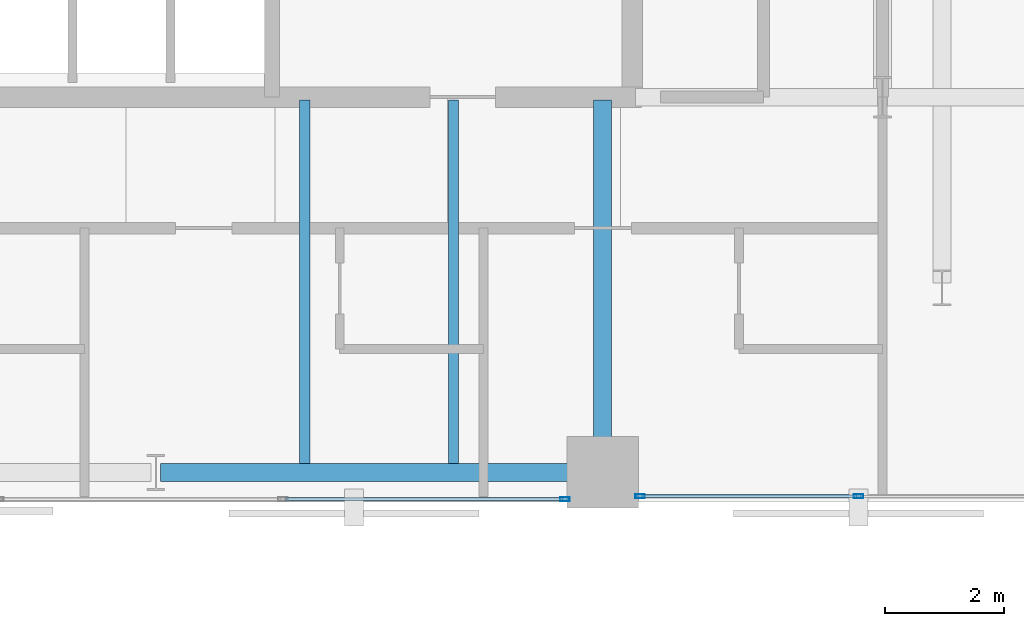
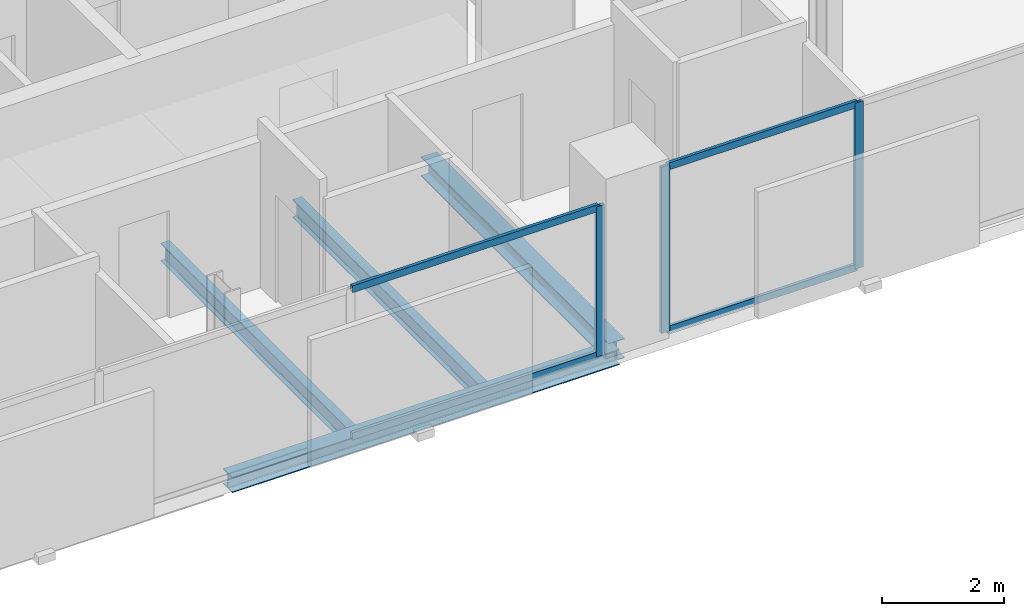
# One storey, part 14 of 32: 7 members, 4 beams, 2 elements without a shape of their own.
"""IFC4 building model written with IfcOpenShell, lengths in metres."""

from ifc_helpers import new_model, si_unit, direction, frame, origin, origin_2d, place, context, subcontext, project, spatial, hollow_rectangle, i_section, extrude, material, layer, layer_set, material_profile, profile_set, type_object, element, aggregate, save


model = new_model("IFC4")

# Units and contexts
model_context = context("Model", 3, precision=1e-05, world=origin(), true_north=direction((0.0, 1.0)))
body_context = subcontext(model_context, "Body", "Model", "MODEL_VIEW")
ifc_project = project(units=[si_unit("LENGTHUNIT", "METRE"), si_unit("AREAUNIT", "SQUARE_METRE"), si_unit("VOLUMEUNIT", "CUBIC_METRE"), si_unit("PLANEANGLEUNIT", "RADIAN"), si_unit("MASSUNIT", "GRAM", prefix="KILO")], contexts=[model_context])

# Site, building, storey
site_placement = place(None, origin())
site = spatial("IfcSite", under=ifc_project, at=site_placement, CompositionType="ELEMENT")
building_placement = place(site_placement, origin())
building = spatial("IfcBuilding", under=site, at=building_placement, Name="Catumbela Crestline Tower", CompositionType="ELEMENT")
storey_placement = place(building_placement, frame((0.0, 0.0, 136.8)))
storey = spatial("IfcBuildingStorey", under=building, at=storey_placement, Name="L35", CompositionType="ELEMENT", Elevation=136.8)

# Beams
ifc_material_1 = material(Name="Structural steel S355J2", Category="steel")
ifc_material_profile_1 = material_profile(ifc_material_1, i_section(OverallWidth=0.3, OverallDepth=0.39, WebThickness=0.011, FlangeThickness=0.019, FilletRadius=0.027, at=origin_2d()), Name="HEA 400")
ifc_profile_set_1 = profile_set([ifc_material_profile_1], Name="Structural steel S355J2")
beam_type_1 = type_object("IfcBeamType", Name="BG-HEA400", PredefinedType="BEAM", material=ifc_profile_set_1)
beam_1_placement = place(storey_placement, frame((39.5, 24.58, -0.455), z_axis=(0.0, 1.0, 0.0), x_axis=(-1.0, 0.0, 0.0)))
element("IfcBeam", 1, at=beam_1_placement, inside=storey, type_object=beam_type_1, Name="L35 Beam BM-L35-SNS31", PredefinedType="BEAM", context=body_context, shape_type="SweptSolid", body=[
    extrude(i_section(OverallWidth=0.3, OverallDepth=0.39, WebThickness=0.011, FlangeThickness=0.019, FilletRadius=0.027, at=origin_2d()), origin(), (0.0, 0.0, 1.0), 6.17),
])
ifc_material_profile_2 = material_profile(ifc_material_1, i_section(OverallWidth=0.17, OverallDepth=0.36, WebThickness=0.008, FlangeThickness=0.0127, FilletRadius=0.018, at=origin_2d()), Name="IPE 360")
ifc_profile_set_2 = profile_set([ifc_material_profile_2], Name="Structural steel S355J2")
beam_type_2 = type_object("IfcBeamType", Name="BJ-IPE360", PredefinedType="JOIST", material=ifc_profile_set_2)
for number, where, z_axis, x_axis, name in (
    (2, (34.5, 24.647, -0.44), (0.0, 1.0, 0.0), (-1.0, 0.0, 0.0), "L35 Joist JS-L35-SP41"),
    (3, (37.0, 24.647, -0.44), (0.0, 1.0, 0.0), (-1.0, 0.0, 0.0), "L35 Joist JS-L35-SP42"),
):
    element("IfcBeam", number, at=place(storey_placement, frame(where, z_axis=z_axis, x_axis=x_axis)), inside=storey, type_object=beam_type_2, Name=name, PredefinedType="JOIST", context=body_context, shape_type="SweptSolid", body=[
        extrude(i_section(OverallWidth=0.17, OverallDepth=0.36, WebThickness=0.008, FlangeThickness=0.0127, FilletRadius=0.018, at=origin_2d()), origin(), (0.0, 0.0, 1.0), 6.103),
    ])

# Curtain wall, member
ifc_material_2 = material(Name="Aluminium alloy AW-6060-T66", Category="aluminium")
ifc_layer = layer(ifc_material_2, 0.18, Name="Aluminium alloy AW-6060-T66")
ifc_layer_set = layer_set([ifc_layer], Name="Aluminium alloy AW-6060-T66")
curtain_wall_type = type_object("IfcCurtainWallType", Name="CWU-Z2", PredefinedType="USERDEFINED", material=ifc_layer_set)
curtain_wall_1_placement = place(storey_placement, origin())
curtain_wall_1 = element("IfcCurtainWall", 4, at=curtain_wall_1_placement, inside=storey, type_object=curtain_wall_type, Name="L35 Unitised Curtain Wall CW-L35-E3S1", ObjectType="UNITISED", PredefinedType="USERDEFINED")
ifc_material_profile_3 = material_profile(ifc_material_2, hollow_rectangle(XDim=0.06, YDim=0.16, WallThickness=0.004, at=origin_2d()), Name="ALU 160x60x4")
ifc_profile_set_3 = profile_set([ifc_material_profile_3], Name="Aluminium alloy AW-6060-T66")
member_type_1 = type_object("IfcMemberType", Name="MUL-160X60", PredefinedType="MULLION", material=ifc_profile_set_3)
member_1_placement = place(storey_placement, frame((38.8675, 24.05, 0.0), z_axis=(0.0, 0.0, 1.0), x_axis=(0.0, 1.0, 0.0)))
member_1 = element("IfcMember", 5, at=member_1_placement, type_object=member_type_1, Name="CWU-Z2 mullion 4", PredefinedType="MULLION", context=body_context, shape_type="SweptSolid", body=[
    extrude(hollow_rectangle(XDim=0.06, YDim=0.16, WallThickness=0.004, at=origin_2d()), origin(), (0.0, 0.0, 1.0), 3.01),
])

# Curtain wall, members
curtain_wall_2_placement = place(storey_placement, origin())
curtain_wall_2 = element("IfcCurtainWall", 6, at=curtain_wall_2_placement, inside=storey, type_object=curtain_wall_type, Name="L35 Unitised Curtain Wall CW-L35-E3S2", ObjectType="UNITISED", PredefinedType="USERDEFINED")
member_2_placement = place(storey_placement, frame((40.1325, 24.1, 0.0), z_axis=(0.0, 0.0, 1.0), x_axis=(0.0, 1.0, 0.0)))
member_2 = element("IfcMember", 7, at=member_2_placement, type_object=member_type_1, Name="CWU-Z2 mullion 1", PredefinedType="MULLION", context=body_context, shape_type="SweptSolid", body=[
    extrude(hollow_rectangle(XDim=0.06, YDim=0.16, WallThickness=0.004, at=origin_2d()), origin(), (0.0, 0.0, 1.0), 3.33),
])
member_3_placement = place(storey_placement, frame((43.8, 24.1, 0.0), z_axis=(0.0, 0.0, 1.0), x_axis=(0.0, 1.0, 0.0)))
member_3 = element("IfcMember", 8, at=member_3_placement, type_object=member_type_1, Name="CWU-Z2 mullion 2", PredefinedType="MULLION", context=body_context, shape_type="SweptSolid", body=[
    extrude(hollow_rectangle(XDim=0.06, YDim=0.16, WallThickness=0.004, at=origin_2d()), origin(), (0.0, 0.0, 1.0), 3.33),
])

# Beam
ifc_material_profile_4 = material_profile(ifc_material_1, i_section(OverallWidth=0.3, OverallDepth=0.31, WebThickness=0.009, FlangeThickness=0.0155, FilletRadius=0.027, at=origin_2d()), Name="HEA 320")
ifc_profile_set_4 = profile_set([ifc_material_profile_4], Name="Structural steel S355J2")
beam_type_3 = type_object("IfcBeamType", Name="BS-HEA320", PredefinedType="SPANDREL", material=ifc_profile_set_4)
beam_2_placement = place(storey_placement, frame((32.08, 24.5, -0.415), z_axis=(1.0, 0.0, 0.0), x_axis=(0.0, 1.0, 0.0)))
element("IfcBeam", 9, at=beam_2_placement, inside=storey, type_object=beam_type_3, Name="L35 Spandrel SP-L35-S06", PredefinedType="SPANDREL", context=body_context, shape_type="SweptSolid", body=[
    extrude(i_section(OverallWidth=0.3, OverallDepth=0.31, WebThickness=0.009, FlangeThickness=0.0155, FilletRadius=0.027, at=origin_2d()), origin(), (0.0, 0.0, 1.0), 7.34),
])

# Member
ifc_material_profile_5 = material_profile(ifc_material_2, hollow_rectangle(XDim=0.06, YDim=0.14, WallThickness=0.004, at=origin_2d()), Name="ALU 140x60x4")
ifc_profile_set_5 = profile_set([ifc_material_profile_5], Name="Aluminium alloy AW-6060-T66")
member_type_2 = type_object("IfcMemberType", Name="TRN-140X60", PredefinedType="USERDEFINED", material=ifc_profile_set_5)
member_4_placement = place(storey_placement, frame((34.1658, 24.05, 0.03), z_axis=(1.0, 0.0, 0.0), x_axis=(0.0, 1.0, 0.0)))
member_4 = element("IfcMember", 10, at=member_4_placement, type_object=member_type_2, Name="CWU-Z2 transom 3.1", ObjectType="TRANSOM", PredefinedType="USERDEFINED", context=body_context, shape_type="SweptSolid", body=[
    extrude(hollow_rectangle(XDim=0.06, YDim=0.14, WallThickness=0.004, at=origin_2d()), origin(), (0.0, 0.0, 1.0), 4.6692),
])

member_5_placement = place(storey_placement, frame((34.1658, 24.05, 2.98), z_axis=(1.0, 0.0, 0.0), x_axis=(0.0, 1.0, 0.0)))
member_5 = element("IfcMember", 11, at=member_5_placement, type_object=member_type_2, Name="CWU-Z2 transom 3.2", ObjectType="TRANSOM", PredefinedType="USERDEFINED", context=body_context, shape_type="SweptSolid", body=[
    extrude(hollow_rectangle(XDim=0.06, YDim=0.14, WallThickness=0.004, at=origin_2d()), origin(), (0.0, 0.0, 1.0), 4.6692),
])

aggregate(curtain_wall_1, [member_1, member_4, member_5])

member_6_placement = place(storey_placement, frame((40.165, 24.1, 0.03), z_axis=(1.0, 0.0, 0.0), x_axis=(0.0, 1.0, 0.0)))
member_6 = element("IfcMember", 12, at=member_6_placement, type_object=member_type_2, Name="CWU-Z2 transom 1.1", ObjectType="TRANSOM", PredefinedType="USERDEFINED", context=body_context, shape_type="SweptSolid", body=[
    extrude(hollow_rectangle(XDim=0.06, YDim=0.14, WallThickness=0.004, at=origin_2d()), origin(), (0.0, 0.0, 1.0), 3.6025),
])

member_7_placement = place(storey_placement, frame((40.165, 24.1, 3.3), z_axis=(1.0, 0.0, 0.0), x_axis=(0.0, 1.0, 0.0)))
member_7 = element("IfcMember", 13, at=member_7_placement, type_object=member_type_2, Name="CWU-Z2 transom 1.2", ObjectType="TRANSOM", PredefinedType="USERDEFINED", context=body_context, shape_type="SweptSolid", body=[
    extrude(hollow_rectangle(XDim=0.06, YDim=0.14, WallThickness=0.004, at=origin_2d()), origin(), (0.0, 0.0, 1.0), 3.6025),
])

aggregate(curtain_wall_2, [member_2, member_3, member_6, member_7])

save(model, "model.ifc")
